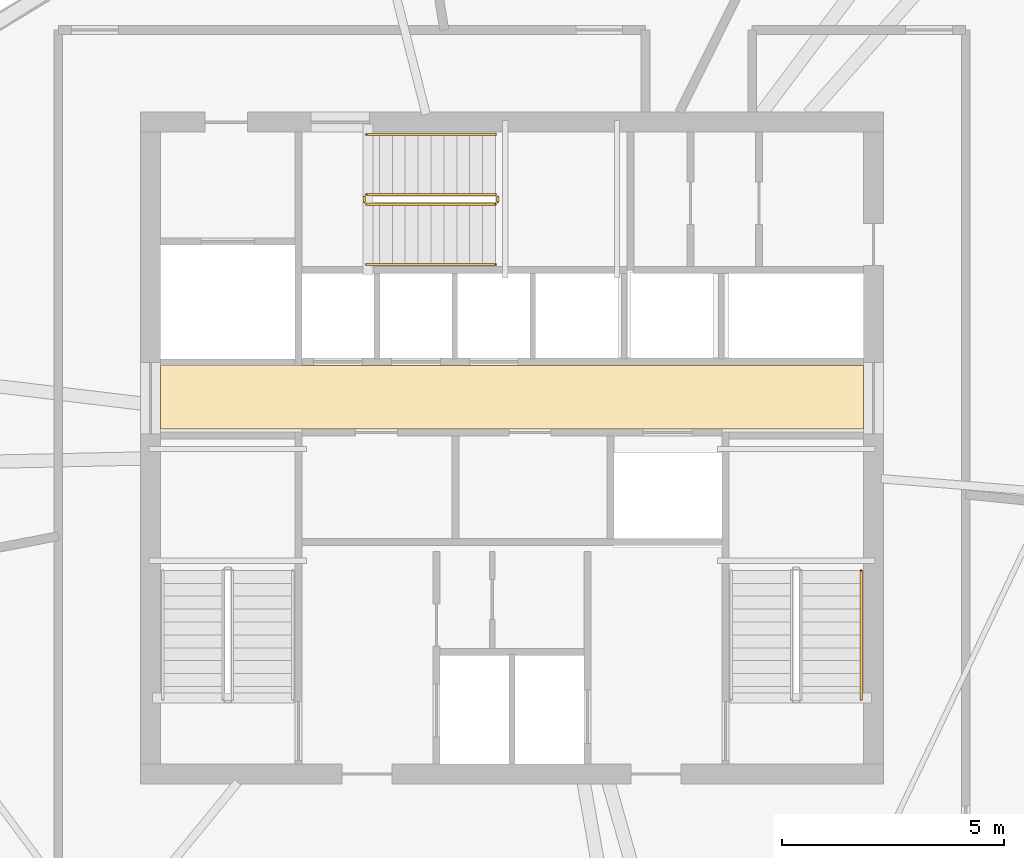
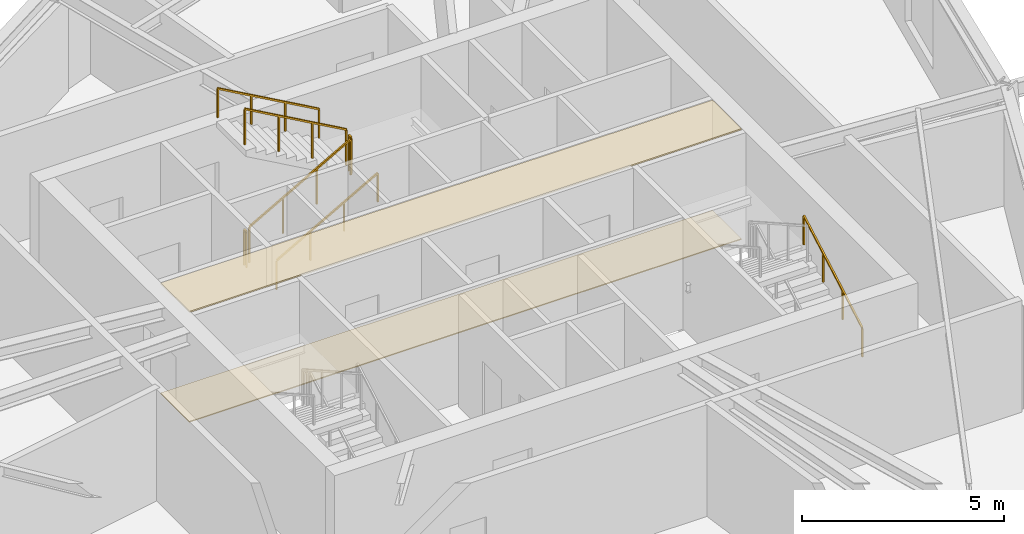
# One storey, part 12 of 13: 7 railings, 2 coverings.
"""IFC4 building model written with IfcOpenShell, lengths in metres."""

from ifc_helpers import new_model, si_unit, direction, frame, origin, origin_2d, place, context, subcontext, project, spatial, polyline, rectangle, outline, extrude, material, layer, layer_set, type_object, element, save


model = new_model("IFC4")

# Units and contexts
model_context = context("Model", 3, precision=1e-05, world=origin(), true_north=direction((0.0, 1.0)))
body_context = subcontext(model_context, "Body", "Model", "MODEL_VIEW")
ifc_project = project(units=[si_unit("LENGTHUNIT", "METRE"), si_unit("AREAUNIT", "SQUARE_METRE"), si_unit("VOLUMEUNIT", "CUBIC_METRE"), si_unit("PLANEANGLEUNIT", "RADIAN"), si_unit("MASSUNIT", "GRAM", prefix="KILO")], contexts=[model_context])

# Site, building, storey
site_placement = place(None, origin())
site = spatial("IfcSite", under=ifc_project, at=site_placement, CompositionType="ELEMENT")
building_placement = place(site_placement, origin())
building = spatial("IfcBuilding", under=site, at=building_placement, Name="Olszyna Solenne Hotel", CompositionType="ELEMENT")
storey_placement = place(building_placement, frame((0.0, 0.0, 238.10009765625)))
storey = spatial("IfcBuildingStorey", under=building, at=storey_placement, Name="L63", CompositionType="ELEMENT", Elevation=238.10009765625)

# Coverings
ifc_material_1 = material(Name="Mineral wool acoustic ceiling")
ifc_layer_1 = layer(ifc_material_1, 0.0400390625, Name="Mineral wool acoustic ceiling")
ifc_layer_set_1 = layer_set([ifc_layer_1], Name="Mineral wool acoustic ceiling")
covering_type_1 = type_object("IfcCoveringType", Name="CL-AC1", PredefinedType="CEILING", material=ifc_layer_set_1)
covering_1_placement = place(storey_placement, frame((0.0, 0.0, 3.31982421875)))
element("IfcCovering", 1, at=covering_1_placement, inside=storey, type_object=covering_type_1, Name="Lift lobby acoustic tile ceiling CL-L63-01", PredefinedType="CEILING", context=body_context, shape_type="SweptSolid", body=[
    extrude(outline(polyline([(30.10009765625, 27.030029296875), (45.89990234375, 27.030029296875), (45.89990234375, 28.4599609375), (30.10009765625, 28.4599609375), (30.10009765625, 27.030029296875)])), origin(), (0.0, 0.0, 1.0), 0.0400390625),
])
ifc_material_2 = material(Name="Ceramic floor tile")
ifc_layer_2 = layer(ifc_material_2, 0.030029296875, Name="Ceramic floor tile")
ifc_layer_set_2 = layer_set([ifc_layer_2], Name="Ceramic floor tile")
covering_type_2 = type_object("IfcCoveringType", Name="FL-TL1", PredefinedType="FLOORING", material=ifc_layer_set_2)
covering_2_placement = place(storey_placement, origin())
element("IfcCovering", 2, at=covering_2_placement, inside=storey, type_object=covering_type_2, Name="Lift lobby stoneware floor finish FLR-L63-01", PredefinedType="FLOORING", context=body_context, shape_type="SweptSolid", body=[
    extrude(outline(polyline([(30.10009765625, 27.030029296875), (45.89990234375, 27.030029296875), (45.89990234375, 28.4599609375), (30.10009765625, 28.4599609375), (30.10009765625, 27.030029296875)])), origin(), (0.0, 0.0, 1.0), 0.02978515625),
])

# Railings
ifc_material_3 = material(Name="Anodised bronze aluminium", Category="aluminium")
railing_type_1 = type_object("IfcRailingType", Name="GR-110", PredefinedType="BALUSTRADE", material=ifc_material_3)
railing_1_placement = place(storey_placement, frame((34.72998046875, 32.080078125, 0.16357421875)))
element("IfcRailing", 3, at=railing_1_placement, inside=storey, type_object=railing_type_1, Name="L63 ST3 stair guard 1", PredefinedType="BALUSTRADE", context=body_context, shape_type="SweptSolid", body=[
    extrude(rectangle(XDim=0.048095703125, YDim=0.048095703125, at=origin_2d()), frame((0.0, 0.0, 1.076171875), z_axis=(0.870928581787, 0.0, 0.491409610636), x_axis=(0.0, 1.0, 0.0)), (0.0, 0.0, 1.0), 3.32958984375),
    extrude(rectangle(XDim=0.0419921875, YDim=0.0419921875, at=origin_2d()), origin(), (0.0, 0.0, 1.0), 1.052001953125),
    extrude(rectangle(XDim=0.0419921875, YDim=0.0419921875, at=origin_2d()), frame((0.966552734375, 0.0, 0.54541015625)), (0.0, 0.0, 1.0), 1.052001953125),
    extrude(rectangle(XDim=0.0419921875, YDim=0.0419921875, at=origin_2d()), frame((1.933349609375, 0.0, 1.0908203125)), (0.0, 0.0, 1.0), 1.052001953125),
    extrude(rectangle(XDim=0.0419921875, YDim=0.0419921875, at=origin_2d()), frame((2.89990234375, 0.0, 1.63623046875)), (0.0, 0.0, 1.0), 1.052001953125),
])
railing_2_placement = place(storey_placement, frame((37.679931640625, 32.1298828125, 1.7998046875)))
element("IfcRailing", 4, at=railing_2_placement, inside=storey, type_object=railing_type_1, Name="L63 ST3 stair guard 2", PredefinedType="BALUSTRADE", context=body_context, shape_type="SweptSolid", body=[
    extrude(rectangle(XDim=0.048095703125, YDim=0.048095703125, at=origin_2d()), frame((0.0, 0.0, 1.076171875), z_axis=(0.0, 1.0, 0.0), x_axis=(-1.0, 0.0, 0.0)), (0.0, 0.0, 1.0), 0.1201171875),
    extrude(rectangle(XDim=0.0419921875, YDim=0.0419921875, at=origin_2d()), origin(), (0.0, 0.0, 1.0), 1.052001953125),
    extrude(rectangle(XDim=0.0419921875, YDim=0.0419921875, at=origin_2d()), frame((0.0, 0.1201171875, 0.0)), (0.0, 0.0, 1.0), 1.052001953125),
])
railing_3_placement = place(storey_placement, frame((37.6298828125, 32.300048828125, 1.963623046875)))
element("IfcRailing", 5, at=railing_3_placement, inside=storey, type_object=railing_type_1, Name="L63 ST3 stair guard 3", PredefinedType="BALUSTRADE", context=body_context, shape_type="SweptSolid", body=[
    extrude(rectangle(XDim=0.048095703125, YDim=0.048095703125, at=origin_2d()), frame((0.0, 0.0, 1.076171875), z_axis=(-0.870928581787, 0.0, 0.491409610636), x_axis=(0.0, -1.0, 0.0)), (0.0, 0.0, 1.0), 3.32958984375),
    extrude(rectangle(XDim=0.0419921875, YDim=0.0419921875, at=origin_2d()), origin(), (0.0, 0.0, 1.0), 1.052001953125),
    extrude(rectangle(XDim=0.0419921875, YDim=0.0419921875, at=origin_2d()), frame((-0.966552734375, 0.0, 0.54541015625)), (0.0, 0.0, 1.0), 1.052001953125),
    extrude(rectangle(XDim=0.0419921875, YDim=0.0419921875, at=origin_2d()), frame((-1.933349609375, 0.0, 1.0908203125)), (0.0, 0.0, 1.0), 1.052001953125),
    extrude(rectangle(XDim=0.0419921875, YDim=0.0419921875, at=origin_2d()), frame((-2.89990234375, 0.0, 1.63623046875)), (0.0, 0.0, 1.0), 1.052001953125),
])
railing_4_placement = place(storey_placement, frame((34.679931640625, 32.1298828125, 0.0)))
element("IfcRailing", 6, at=railing_4_placement, inside=storey, type_object=railing_type_1, Name="L63 ST3 stair guard 4", PredefinedType="BALUSTRADE", context=body_context, shape_type="SweptSolid", body=[
    extrude(rectangle(XDim=0.048095703125, YDim=0.048095703125, at=origin_2d()), frame((0.0, 0.0, 1.076171875), z_axis=(0.0, 1.0, 0.0), x_axis=(-1.0, 0.0, 0.0)), (0.0, 0.0, 1.0), 0.1201171875),
    extrude(rectangle(XDim=0.0419921875, YDim=0.0419921875, at=origin_2d()), origin(), (0.0, 0.0, 1.0), 1.052001953125),
    extrude(rectangle(XDim=0.0419921875, YDim=0.0419921875, at=origin_2d()), frame((0.0, 0.1201171875, 0.0)), (0.0, 0.0, 1.0), 1.052001953125),
])
ifc_material_4 = material(Name="Steel S355J2", Category="steel")
railing_type_2 = type_object("IfcRailingType", Name="HR-090", PredefinedType="HANDRAIL", material=ifc_material_4)
railing_5_placement = place(storey_placement, frame((45.85009765625, 20.949951171875, 0.16357421875)))
element("IfcRailing", 7, at=railing_5_placement, inside=storey, type_object=railing_type_2, Name="L63 ST2 stair handrail 1", PredefinedType="HANDRAIL", context=body_context, shape_type="SweptSolid", body=[
    extrude(rectangle(XDim=0.048095703125, YDim=0.048095703125, at=origin_2d()), frame((0.0, 0.0, 0.8759765625), z_axis=(0.0, 0.870946286338, 0.49137823142), x_axis=(-1.0, 0.0, 0.0)), (0.0, 0.0, 1.0), 3.329833984375),
    extrude(rectangle(XDim=0.0419921875, YDim=0.0419921875, at=origin_2d()), origin(), (0.0, 0.0, 1.0), 0.851806640625),
    extrude(rectangle(XDim=0.0419921875, YDim=0.0419921875, at=origin_2d()), frame((0.0, 0.966796875, 0.54541015625)), (0.0, 0.0, 1.0), 0.851806640625),
    extrude(rectangle(XDim=0.0419921875, YDim=0.0419921875, at=origin_2d()), frame((0.0, 1.933349609375, 1.0908203125)), (0.0, 0.0, 1.0), 0.851806640625),
    extrude(rectangle(XDim=0.0419921875, YDim=0.0419921875, at=origin_2d()), frame((0.0, 2.900146484375, 1.63623046875)), (0.0, 0.0, 1.0), 0.851806640625),
])
railing_6_placement = place(storey_placement, frame((34.72998046875, 30.72998046875, 0.16357421875)))
element("IfcRailing", 8, at=railing_6_placement, inside=storey, type_object=railing_type_2, Name="L63 ST3 stair handrail 1", PredefinedType="HANDRAIL", context=body_context, shape_type="SweptSolid", body=[
    extrude(rectangle(XDim=0.048095703125, YDim=0.048095703125, at=origin_2d()), frame((0.0, 0.0, 0.8759765625), z_axis=(0.870928581787, 0.0, 0.491409610636), x_axis=(0.0, 1.0, 0.0)), (0.0, 0.0, 1.0), 3.32958984375),
    extrude(rectangle(XDim=0.0419921875, YDim=0.0419921875, at=origin_2d()), origin(), (0.0, 0.0, 1.0), 0.851806640625),
    extrude(rectangle(XDim=0.0419921875, YDim=0.0419921875, at=origin_2d()), frame((0.966552734375, 0.0, 0.54541015625)), (0.0, 0.0, 1.0), 0.851806640625),
    extrude(rectangle(XDim=0.0419921875, YDim=0.0419921875, at=origin_2d()), frame((1.933349609375, 0.0, 1.0908203125)), (0.0, 0.0, 1.0), 0.851806640625),
    extrude(rectangle(XDim=0.0419921875, YDim=0.0419921875, at=origin_2d()), frame((2.89990234375, 0.0, 1.63623046875)), (0.0, 0.0, 1.0), 0.851806640625),
])
railing_7_placement = place(storey_placement, frame((37.6298828125, 33.64990234375, 1.963623046875)))
element("IfcRailing", 9, at=railing_7_placement, inside=storey, type_object=railing_type_2, Name="L63 ST3 stair handrail 2", PredefinedType="HANDRAIL", context=body_context, shape_type="SweptSolid", body=[
    extrude(rectangle(XDim=0.048095703125, YDim=0.048095703125, at=origin_2d()), frame((0.0, 0.0, 0.8759765625), z_axis=(-0.870928581787, 0.0, 0.491409610636), x_axis=(0.0, -1.0, 0.0)), (0.0, 0.0, 1.0), 3.32958984375),
    extrude(rectangle(XDim=0.0419921875, YDim=0.0419921875, at=origin_2d()), origin(), (0.0, 0.0, 1.0), 0.851806640625),
    extrude(rectangle(XDim=0.0419921875, YDim=0.0419921875, at=origin_2d()), frame((-0.966552734375, 0.0, 0.54541015625)), (0.0, 0.0, 1.0), 0.851806640625),
    extrude(rectangle(XDim=0.0419921875, YDim=0.0419921875, at=origin_2d()), frame((-1.933349609375, 0.0, 1.0908203125)), (0.0, 0.0, 1.0), 0.851806640625),
    extrude(rectangle(XDim=0.0419921875, YDim=0.0419921875, at=origin_2d()), frame((-2.89990234375, 0.0, 1.63623046875)), (0.0, 0.0, 1.0), 0.851806640625),
])

save(model, "model.ifc")
